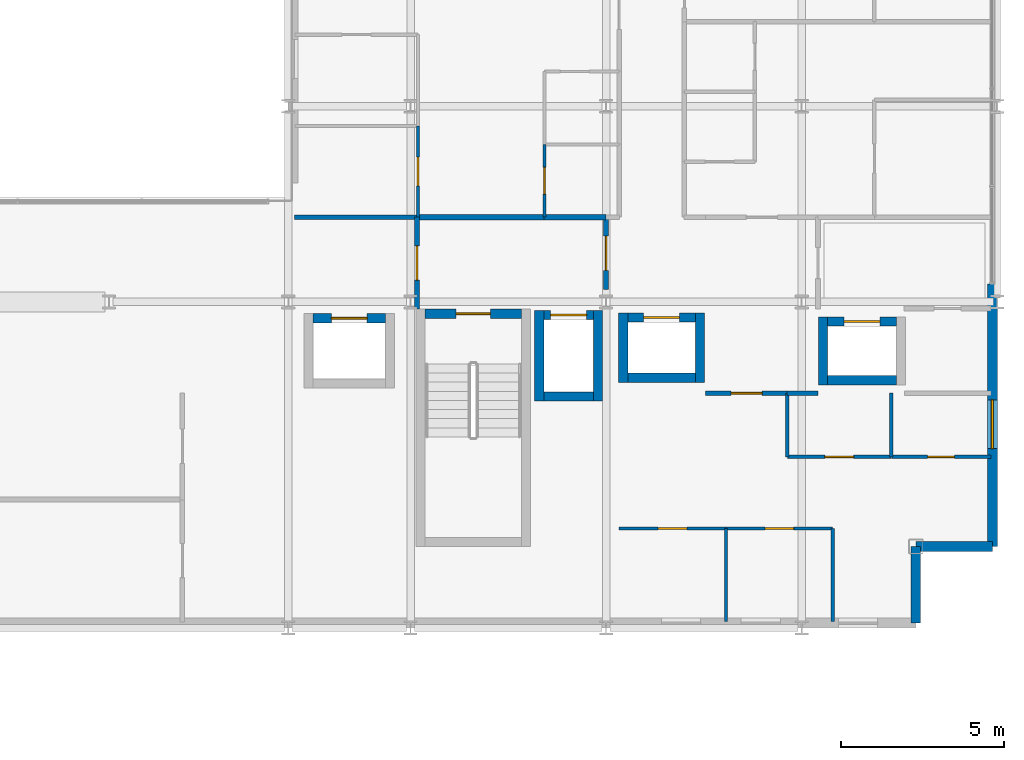
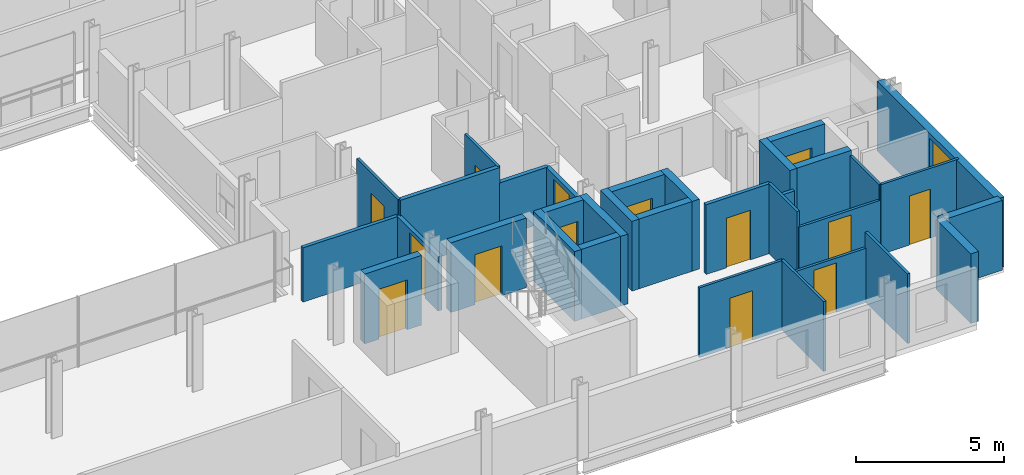
# One storey, part 34 of 40: 33 walls, 14 doors, 1 window, 15 openings.
"""IFC4 building model written with IfcOpenShell, lengths in metres."""

from ifc_helpers import new_model, si_unit, direction, frame, frame_2d, origin, place, context, subcontext, project, spatial, rectangle, extrude, material, layer, layer_set, type_object, element, fill, save


model = new_model("IFC4")

# Units and contexts
model_context = context("Model", 3, precision=1e-05, world=origin(), true_north=direction((0.0, 1.0)))
body_context = subcontext(model_context, "Body", "Model", "MODEL_VIEW")
ifc_project = project(units=[si_unit("LENGTHUNIT", "METRE"), si_unit("AREAUNIT", "SQUARE_METRE"), si_unit("VOLUMEUNIT", "CUBIC_METRE"), si_unit("PLANEANGLEUNIT", "RADIAN"), si_unit("MASSUNIT", "GRAM", prefix="KILO")], contexts=[model_context])

# Site, building, storey
site_placement = place(None, origin())
site = spatial("IfcSite", under=ifc_project, at=site_placement, CompositionType="ELEMENT")
building_placement = place(site_placement, origin())
building = spatial("IfcBuilding", under=site, at=building_placement, Name="Brevholm Reach", CompositionType="ELEMENT")
storey_placement = place(building_placement, frame((0.0, 0.0, 125.199951171875)))
storey = spatial("IfcBuildingStorey", under=building, at=storey_placement, Name="L37", CompositionType="ELEMENT", Elevation=125.199951171875)

# Wall, opening, door
ifc_material_1 = material(Name="Concrete C50/60", Category="concrete")
ifc_layer_1 = layer(ifc_material_1, 0.280029296875)
ifc_layer_set_1 = layer_set([ifc_layer_1], Name="Concrete C50/60")
wall_type_1 = type_object("IfcWallType", Name="WAL-COR-280", PredefinedType="SHEAR", material=ifc_layer_set_1)
wall_1_placement = place(storey_placement, frame((45.39990234375, 9.639892578125, 0.0), z_axis=(0.0, 0.0, 1.0), x_axis=(-1.0, 0.0, 0.0)))
wall_1 = element("IfcWall", 1, at=wall_1_placement, inside=storey, type_object=wall_type_1, Name="L37 Escape Stair ST-2 Core Wall N", PredefinedType="SHEAR", context=body_context, shape_type="SweptSolid", body=[
    extrude(rectangle(XDim=2.949951171875, YDim=0.280029296875, at=frame_2d((1.47509765625, 0.0))), origin(), (0.0, 0.0, 1.0), 2.880126953125),
])
opening_1_placement = place(wall_1_placement, frame((0.949951171875, 0.0, 0.0)))
opening_1 = element("IfcOpeningElement", 2, at=opening_1_placement, cuts=wall_1, Name="Opening SD-ST-2", PredefinedType="OPENING", context=body_context, shape_type="SweptSolid", body=[
    extrude(rectangle(XDim=1.050048828125, YDim=2.06005859375, at=frame_2d((0.52490234375, 1.030029296875))), frame((0.0, 0.14990234375, 0.0), z_axis=(0.0, -1.0, 0.0), x_axis=(1.0, 0.0, 0.0)), (0.0, 0.0, 1.0), 0.300048828125),
])
ifc_material_2 = material(Name="Hardwood-Lipped Steel-Core Fire and Smoke Door", Category="steel")
door_type_1 = type_object("IfcDoorType", Name="DOR-INT-FD60S", OperationType="NOTDEFINED", PredefinedType="DOOR", material=ifc_material_2)
door_1_placement = place(opening_1_placement, origin())
door_1 = element("IfcDoor", 3, at=door_1_placement, inside=storey, type_object=door_type_1, Name="L37 Protected Stair ST-2 Lobby Door", OperationType="SINGLE_SWING_RIGHT", OverallHeight=2.06005859375, OverallWidth=1.050048828125, PredefinedType="DOOR", context=body_context, shape_type="SweptSolid", body=[
    extrude(rectangle(XDim=1.050048828125, YDim=2.06005859375, at=frame_2d((0.52490234375, 1.030029296875))), frame((0.0, 0.02490234375, 0.0), z_axis=(0.0, -1.0, 0.0), x_axis=(1.0, 0.0, 0.0)), (0.0, 0.0, 1.0), 0.050048828125),
])
fill(opening_1, door_1)

# Walls
for number, where, z_axis, x_axis, name in (
    (4, (45.949951171875, 6.9599609375, 0.0), (0.0, 0.0, 1.0), (0.0, 1.0, 0.0), "L37 Lift FFL-2 Shaft Wall W"),
    (5, (47.75, 6.9599609375, 0.0), (0.0, 0.0, 1.0), (0.0, 1.0, 0.0), "L37 Lift FFL-2 Shaft Wall E"),
):
    element("IfcWall", number, at=place(storey_placement, frame(where, z_axis=z_axis, x_axis=x_axis)), inside=storey, type_object=wall_type_1, Name=name, PredefinedType="SHEAR", context=body_context, shape_type="SweptSolid", body=[
        extrude(rectangle(XDim=2.780029296875, YDim=0.280029296875, at=frame_2d((1.39013671875, 0.0))), origin(), (0.0, 0.0, 1.0), 2.880126953125),
    ])
wall_2_placement = place(storey_placement, frame((46.090087890625, 7.10009765625, 0.0), z_axis=(0.0, 0.0, 1.0), x_axis=(1.0, 0.0, 0.0)))
element("IfcWall", 6, at=wall_2_placement, inside=storey, type_object=wall_type_1, Name="L37 Lift FFL-2 Shaft Wall S", PredefinedType="SHEAR", context=body_context, shape_type="SweptSolid", body=[
    extrude(rectangle(XDim=1.52001953125, YDim=0.280029296875, at=frame_2d((0.760009765625, 0.0))), origin(), (0.0, 0.0, 1.0), 2.880126953125),
])

# Wall, opening, door
wall_3_placement = place(storey_placement, frame((46.090087890625, 9.60009765625, 0.0), z_axis=(0.0, 0.0, 1.0), x_axis=(1.0, 0.0, 0.0)))
wall_3 = element("IfcWall", 7, at=wall_3_placement, inside=storey, type_object=wall_type_1, Name="L37 Lift FFL-2 Shaft Wall N", PredefinedType="SHEAR", context=body_context, shape_type="SweptSolid", body=[
    extrude(rectangle(XDim=1.52001953125, YDim=0.280029296875, at=frame_2d((0.760009765625, 0.0))), origin(), (0.0, 0.0, 1.0), 2.880126953125),
])
opening_2_placement = place(wall_3_placement, frame((0.2099609375, 0.0, 0.0)))
opening_2 = element("IfcOpeningElement", 8, at=opening_2_placement, cuts=wall_3, Name="Opening LD-FFL-2", PredefinedType="OPENING", context=body_context, shape_type="SweptSolid", body=[
    extrude(rectangle(XDim=1.10009765625, YDim=2.06005859375, at=frame_2d((0.550048828125, 1.030029296875))), frame((0.0, 0.14990234375, 0.0), z_axis=(0.0, -1.0, 0.0), x_axis=(1.0, 0.0, 0.0)), (0.0, 0.0, 1.0), 0.300048828125),
])
ifc_material_3 = material(Name="Brushed Stainless Steel Fire-Rated Sliding Lift Door", Category="steel")
door_type_2 = type_object("IfcDoorType", Name="DOR-LFT-1100", OperationType="NOTDEFINED", PredefinedType="DOOR", material=ifc_material_3)
door_2_placement = place(opening_2_placement, origin())
door_2 = element("IfcDoor", 9, at=door_2_placement, inside=storey, type_object=door_type_2, Name="L37 Lift FFL-2 Sliding Landing Door", OperationType="SLIDING_TO_RIGHT", OverallHeight=2.06005859375, OverallWidth=1.10009765625, PredefinedType="DOOR", context=body_context, shape_type="SweptSolid", body=[
    extrude(rectangle(XDim=1.10009765625, YDim=2.06005859375, at=frame_2d((0.550048828125, 1.030029296875))), frame((0.0, 0.02490234375, 0.0), z_axis=(0.0, -1.0, 0.0), x_axis=(1.0, 0.0, 0.0)), (0.0, 0.0, 1.0), 0.050048828125),
])
fill(opening_2, door_2)

# Walls
for number, where, z_axis, x_axis, name in (
    (10, (48.52490234375, 7.534912109375, 0.0), (0.0, 0.0, 1.0), (0.0, 1.0, 0.0), "L37 Lift PL-L1 Shaft Wall W"),
    (11, (50.875, 7.534912109375, 0.0), (0.0, 0.0, 1.0), (0.0, 1.0, 0.0), "L37 Lift PL-L1 Shaft Wall E"),
):
    element("IfcWall", number, at=place(storey_placement, frame(where, z_axis=z_axis, x_axis=x_axis)), inside=storey, type_object=wall_type_1, Name=name, PredefinedType="SHEAR", context=body_context, shape_type="SweptSolid", body=[
        extrude(rectangle(XDim=2.130126953125, YDim=0.280029296875, at=frame_2d((1.06494140625, 0.0))), origin(), (0.0, 0.0, 1.0), 2.880126953125),
    ])
wall_4_placement = place(storey_placement, frame((48.6650390625, 7.675048828125, 0.0), z_axis=(0.0, 0.0, 1.0), x_axis=(1.0, 0.0, 0.0)))
element("IfcWall", 12, at=wall_4_placement, inside=storey, type_object=wall_type_1, Name="L37 Lift PL-L1 Shaft Wall S", PredefinedType="SHEAR", context=body_context, shape_type="SweptSolid", body=[
    extrude(rectangle(XDim=2.070068359375, YDim=0.280029296875, at=frame_2d((1.03515625, 0.0))), origin(), (0.0, 0.0, 1.0), 2.880126953125),
])

# Wall, opening, door
wall_5_placement = place(storey_placement, frame((48.6650390625, 9.52490234375, 0.0), z_axis=(0.0, 0.0, 1.0), x_axis=(1.0, 0.0, 0.0)))
wall_5 = element("IfcWall", 13, at=wall_5_placement, inside=storey, type_object=wall_type_1, Name="L37 Lift PL-L1 Shaft Wall N", PredefinedType="SHEAR", context=body_context, shape_type="SweptSolid", body=[
    extrude(rectangle(XDim=2.070068359375, YDim=0.280029296875, at=frame_2d((1.03515625, 0.0))), origin(), (0.0, 0.0, 1.0), 2.880126953125),
])
opening_3_placement = place(wall_5_placement, frame((0.485107421875, 0.0, 0.0)))
opening_3 = element("IfcOpeningElement", 14, at=opening_3_placement, cuts=wall_5, Name="Opening LD-PL-L1", PredefinedType="OPENING", context=body_context, shape_type="SweptSolid", body=[
    extrude(rectangle(XDim=1.10009765625, YDim=2.06005859375, at=frame_2d((0.550048828125, 1.030029296875))), frame((0.0, 0.14990234375, 0.0), z_axis=(0.0, -1.0, 0.0), x_axis=(1.0, 0.0, 0.0)), (0.0, 0.0, 1.0), 0.300048828125),
])
door_3_placement = place(opening_3_placement, origin())
door_3 = element("IfcDoor", 15, at=door_3_placement, inside=storey, type_object=door_type_2, Name="L37 Lift PL-L1 Sliding Landing Door", OperationType="SLIDING_TO_LEFT", OverallHeight=2.06005859375, OverallWidth=1.10009765625, PredefinedType="DOOR", context=body_context, shape_type="SweptSolid", body=[
    extrude(rectangle(XDim=1.10009765625, YDim=2.06005859375, at=frame_2d((0.550048828125, 1.030029296875))), frame((0.0, 0.02490234375, 0.0), z_axis=(0.0, -1.0, 0.0), x_axis=(1.0, 0.0, 0.0)), (0.0, 0.0, 1.0), 0.050048828125),
])
fill(opening_3, door_3)

# Walls
wall_6_placement = place(storey_placement, frame((54.64990234375, 7.4599609375, 0.0), z_axis=(0.0, 0.0, 1.0), x_axis=(0.0, 1.0, 0.0)))
element("IfcWall", 16, at=wall_6_placement, inside=storey, type_object=wall_type_1, Name="L37 Lift PL-L2 Shaft Wall W", PredefinedType="SHEAR", context=body_context, shape_type="SweptSolid", body=[
    extrude(rectangle(XDim=2.080078125, YDim=0.280029296875, at=frame_2d((1.0400390625, 0.0))), origin(), (0.0, 0.0, 1.0), 2.880126953125),
])
wall_7_placement = place(storey_placement, frame((54.7900390625, 7.60009765625, 0.0), z_axis=(0.0, 0.0, 1.0), x_axis=(1.0, 0.0, 0.0)))
element("IfcWall", 17, at=wall_7_placement, inside=storey, type_object=wall_type_1, Name="L37 Lift PL-L2 Shaft Wall S", PredefinedType="SHEAR", context=body_context, shape_type="SweptSolid", body=[
    extrude(rectangle(XDim=2.119873046875, YDim=0.280029296875, at=frame_2d((1.06005859375, 0.0))), origin(), (0.0, 0.0, 1.0), 2.880126953125),
])

# Wall, opening, door
wall_8_placement = place(storey_placement, frame((54.7900390625, 9.39990234375, 0.0), z_axis=(0.0, 0.0, 1.0), x_axis=(1.0, 0.0, 0.0)))
wall_8 = element("IfcWall", 18, at=wall_8_placement, inside=storey, type_object=wall_type_1, Name="L37 Lift PL-L2 Shaft Wall N", PredefinedType="SHEAR", context=body_context, shape_type="SweptSolid", body=[
    extrude(rectangle(XDim=2.119873046875, YDim=0.280029296875, at=frame_2d((1.06005859375, 0.0))), origin(), (0.0, 0.0, 1.0), 2.880126953125),
])
opening_4_placement = place(wall_8_placement, frame((0.510009765625, 0.0, 0.0)))
opening_4 = element("IfcOpeningElement", 19, at=opening_4_placement, cuts=wall_8, Name="Opening LD-PL-L2", PredefinedType="OPENING", context=body_context, shape_type="SweptSolid", body=[
    extrude(rectangle(XDim=1.10009765625, YDim=2.06005859375, at=frame_2d((0.550048828125, 1.030029296875))), frame((0.0, 0.14990234375, 0.0), z_axis=(0.0, -1.0, 0.0), x_axis=(1.0, 0.0, 0.0)), (0.0, 0.0, 1.0), 0.300048828125),
])
door_4_placement = place(opening_4_placement, origin())
door_4 = element("IfcDoor", 20, at=door_4_placement, inside=storey, type_object=door_type_2, Name="L37 Lift PL-L2 Sliding Landing Door", OperationType="SLIDING_TO_RIGHT", OverallHeight=2.06005859375, OverallWidth=1.10009765625, PredefinedType="DOOR", context=body_context, shape_type="SweptSolid", body=[
    extrude(rectangle(XDim=1.10009765625, YDim=2.06005859375, at=frame_2d((0.550048828125, 1.030029296875))), frame((0.0, 0.02490234375, 0.0), z_axis=(0.0, -1.0, 0.0), x_axis=(1.0, 0.0, 0.0)), (0.0, 0.0, 1.0), 0.050048828125),
])
fill(opening_4, door_4)

wall_9_placement = place(storey_placement, frame((39.010009765625, 9.5, 0.0), z_axis=(0.0, 0.0, 1.0), x_axis=(1.0, 0.0, 0.0)))
wall_9 = element("IfcWall", 21, at=wall_9_placement, inside=storey, type_object=wall_type_1, Name="L37 Lift PL-S1 Shaft Wall N", PredefinedType="SHEAR", context=body_context, shape_type="SweptSolid", body=[
    extrude(rectangle(XDim=2.219970703125, YDim=0.280029296875, at=frame_2d((1.10986328125, 0.0))), origin(), (0.0, 0.0, 1.0), 2.880126953125),
])
opening_5_placement = place(wall_9_placement, frame((0.56005859375, 0.0, 0.0)))
opening_5 = element("IfcOpeningElement", 22, at=opening_5_placement, cuts=wall_9, Name="Opening LD-PL-S1", PredefinedType="OPENING", context=body_context, shape_type="SweptSolid", body=[
    extrude(rectangle(XDim=1.10009765625, YDim=2.06005859375, at=frame_2d((0.550048828125, 1.030029296875))), frame((0.0, 0.14990234375, 0.0), z_axis=(0.0, -1.0, 0.0), x_axis=(1.0, 0.0, 0.0)), (0.0, 0.0, 1.0), 0.300048828125),
])
door_5_placement = place(opening_5_placement, origin())
door_5 = element("IfcDoor", 23, at=door_5_placement, inside=storey, type_object=door_type_2, Name="L37 Lift PL-S1 Sliding Landing Door", OperationType="SLIDING_TO_LEFT", OverallHeight=2.06005859375, OverallWidth=1.10009765625, PredefinedType="DOOR", context=body_context, shape_type="SweptSolid", body=[
    extrude(rectangle(XDim=1.10009765625, YDim=2.06005859375, at=frame_2d((0.550048828125, 1.030029296875))), frame((0.0, 0.02490234375, 0.0), z_axis=(0.0, -1.0, 0.0), x_axis=(1.0, 0.0, 0.0)), (0.0, 0.0, 1.0), 0.050048828125),
])
fill(opening_5, door_5)

# Walls
ifc_material_4 = material(Name="Concrete C40/50", Category="concrete")
ifc_layer_2 = layer(ifc_material_4, 0.300048828125)
ifc_layer_set_2 = layer_set([ifc_layer_2], Name="Concrete C40/50")
wall_type_2 = type_object("IfcWallType", Name="WAL-EXT-300", PredefinedType="STANDARD", material=ifc_layer_set_2)
for number, where, z_axis, x_axis, name in (
    (24, (57.5, 0.14990234375, 0.0), (0.0, 0.0, 1.0), (0.0, 1.0, 0.0), "L37 Facade Wall WAL-L37-CSE1"),
    (25, (57.5, 2.5, 0.0), (0.0, 0.0, 1.0), (1.0, 0.0, 0.0), "L37 Facade Wall WAL-L37-CSE2"),
):
    element("IfcWall", number, at=place(storey_placement, frame(where, z_axis=z_axis, x_axis=x_axis)), inside=storey, type_object=wall_type_2, Name=name, PredefinedType="STANDARD", context=body_context, shape_type="SweptSolid", body=[
        extrude(rectangle(XDim=2.35009765625, YDim=0.300048828125, at=frame_2d((1.175048828125, 0.0))), origin(), (0.0, 0.0, 1.0), 2.880126953125),
    ])

# Wall, opening, window
wall_10_placement = place(storey_placement, frame((59.85009765625, 2.5, 0.0), z_axis=(0.0, 0.0, 1.0), x_axis=(0.0, 1.0, 0.0)))
wall_10 = element("IfcWall", 26, at=wall_10_placement, inside=storey, type_object=wall_type_2, Name="L37 Facade Wall WAL-L37-E-S", PredefinedType="STANDARD", context=body_context, shape_type="SweptSolid", body=[
    extrude(rectangle(XDim=8.050048828125, YDim=0.300048828125, at=frame_2d((4.02490234375, 0.0))), origin(), (0.0, 0.0, 1.0), 2.880126953125),
])
opening_6_placement = place(wall_10_placement, frame((3.0, 0.0, 0.860107421875)))
opening_6 = element("IfcOpeningElement", 27, at=opening_6_placement, cuts=wall_10, Name="Opening WN-05", PredefinedType="OPENING", context=body_context, shape_type="SweptSolid", body=[
    extrude(rectangle(XDim=1.5, YDim=1.800048828125, at=frame_2d((0.75, 0.89990234375))), frame((0.0, 0.159912109375, 0.0), z_axis=(0.0, -1.0, 0.0), x_axis=(1.0, 0.0, 0.0)), (0.0, 0.0, 1.0), 0.320068359375),
])
ifc_material_5 = material(Name="Dark Anodised Aluminium and Solar-Control IGU Glass", Category="aluminium")
window_type = type_object("IfcWindowType", Name="WIN-RES-1500", PartitioningType="SINGLE_PANEL", PredefinedType="WINDOW", material=ifc_material_5)
window_placement = place(opening_6_placement, origin())
window = element("IfcWindow", 28, at=window_placement, inside=storey, type_object=window_type, Name="L37 Window WIN-L37-ES-1", OverallHeight=1.800048828125, OverallWidth=1.5, PartitioningType="SINGLE_PANEL", PredefinedType="WINDOW", context=body_context, shape_type="SweptSolid", body=[
    extrude(rectangle(XDim=1.5, YDim=1.800048828125, at=frame_2d((0.75, 0.89990234375))), frame((0.0, 0.030029296875, 0.0), z_axis=(0.0, -1.0, 0.0), x_axis=(1.0, 0.0, 0.0)), (0.0, 0.0, 1.0), 0.06005859375),
])
fill(opening_6, window)

# Wall
ifc_material_6 = material(Name="Moisture-Resistant Acoustic Gypsum Stud Partition 100 mm", Category="gypsum")
ifc_layer_3 = layer(ifc_material_6, 0.10009765625)
ifc_layer_set_3 = layer_set([ifc_layer_3], Name="Moisture-Resistant Acoustic Gypsum Stud Partition 100 mm")
wall_type_3 = type_object("IfcWallType", Name="WAL-PRT-100", PredefinedType="PARTITIONING", material=ifc_layer_set_3)
wall_11_placement = place(storey_placement, frame((56.75, 5.25, 0.0), z_axis=(0.0, 0.0, 1.0), x_axis=(0.0, 1.0, 0.0)))
element("IfcWall", 29, at=wall_11_placement, inside=storey, type_object=wall_type_3, Name="L37 Internal Partition 076", PredefinedType="PARTITIONING", context=body_context, shape_type="SweptSolid", body=[
    extrude(rectangle(XDim=1.949951171875, YDim=0.10009765625, at=frame_2d((0.97509765625, 0.0))), origin(), (0.0, 0.0, 1.0), 2.880126953125),
])

# Wall, opening, door
wall_12_placement = place(storey_placement, frame((56.75, 5.25, 0.0), z_axis=(0.0, 0.0, 1.0), x_axis=(1.0, 0.0, 0.0)))
wall_12 = element("IfcWall", 30, at=wall_12_placement, inside=storey, type_object=wall_type_3, Name="L37 Internal Partition 077", PredefinedType="PARTITIONING", context=body_context, shape_type="SweptSolid", body=[
    extrude(rectangle(XDim=3.050048828125, YDim=0.10009765625, at=frame_2d((1.52490234375, 0.0))), origin(), (0.0, 0.0, 1.0), 2.880126953125),
])
opening_7_placement = place(wall_12_placement, frame((1.114990234375, 0.0, 0.0)))
opening_7 = element("IfcOpeningElement", 31, at=opening_7_placement, cuts=wall_12, Name="Opening ID-03", PredefinedType="OPENING", context=body_context, shape_type="SweptSolid", body=[
    extrude(rectangle(XDim=0.820068359375, YDim=2.02001953125, at=frame_2d((0.41015625, 1.010009765625))), frame((0.0, 0.06005859375, 0.0), z_axis=(0.0, -1.0, 0.0), x_axis=(1.0, 0.0, 0.0)), (0.0, 0.0, 1.0), 0.1201171875),
])
ifc_material_7 = material(Name="Moisture-Resistant Painted Timber Internal Bathroom Door", Category="wood")
door_type_3 = type_object("IfcDoorType", Name="DOR-BATH-820", OperationType="NOTDEFINED", PredefinedType="DOOR", material=ifc_material_7)
door_6_placement = place(opening_7_placement, origin())
door_6 = element("IfcDoor", 32, at=door_6_placement, inside=storey, type_object=door_type_3, Name="L37 Internal Door 026", OperationType="SINGLE_SWING_RIGHT", OverallHeight=2.02001953125, OverallWidth=0.820068359375, PredefinedType="DOOR", context=body_context, shape_type="SweptSolid", body=[
    extrude(rectangle(XDim=0.820068359375, YDim=2.02001953125, at=frame_2d((0.41015625, 1.010009765625))), frame((0.0, 0.02490234375, 0.0), z_axis=(0.0, -1.0, 0.0), x_axis=(1.0, 0.0, 0.0)), (0.0, 0.0, 1.0), 0.050048828125),
])
fill(opening_7, door_6)

wall_13_placement = place(storey_placement, frame((53.55810546875, 5.25, 0.0), z_axis=(0.0, 0.0, 1.0), x_axis=(1.0, 0.0, 0.0)))
wall_13 = element("IfcWall", 33, at=wall_13_placement, inside=storey, type_object=wall_type_3, Name="L37 Internal Partition 078", PredefinedType="PARTITIONING", context=body_context, shape_type="SweptSolid", body=[
    extrude(rectangle(XDim=3.18798828125, YDim=0.10009765625, at=frame_2d((1.593994140625, 0.0))), origin(), (0.0, 0.0, 1.0), 2.242919921875),
])
opening_8_placement = place(wall_13_placement, frame((1.154052734375, 0.0, 0.0)))
opening_8 = element("IfcOpeningElement", 34, at=opening_8_placement, cuts=wall_13, Name="Opening ID-01", PredefinedType="OPENING", context=body_context, shape_type="SweptSolid", body=[
    extrude(rectangle(XDim=0.8798828125, YDim=2.0400390625, at=frame_2d((0.43994140625, 1.02001953125))), frame((0.0, 0.06005859375, 0.0), z_axis=(0.0, -1.0, 0.0), x_axis=(1.0, 0.0, 0.0)), (0.0, 0.0, 1.0), 0.1201171875),
])
ifc_material_8 = material(Name="Lacquered Ash Solid-Core Acoustic Internal Door", Category="timber")
door_type_4 = type_object("IfcDoorType", Name="DOR-INT-880", OperationType="NOTDEFINED", PredefinedType="DOOR", material=ifc_material_8)
door_7_placement = place(opening_8_placement, origin())
door_7 = element("IfcDoor", 35, at=door_7_placement, inside=storey, type_object=door_type_4, Name="L37 Internal Door 027", OperationType="SINGLE_SWING_LEFT", OverallHeight=2.0400390625, OverallWidth=0.8798828125, PredefinedType="DOOR", context=body_context, shape_type="SweptSolid", body=[
    extrude(rectangle(XDim=0.8798828125, YDim=2.0400390625, at=frame_2d((0.43994140625, 1.02001953125))), frame((0.0, 0.02490234375, 0.0), z_axis=(0.0, -1.0, 0.0), x_axis=(1.0, 0.0, 0.0)), (0.0, 0.0, 1.0), 0.050048828125),
])
fill(opening_8, door_7)

# Walls
wall_14_placement = place(storey_placement, frame((53.55810546875, 5.25, 0.0), z_axis=(0.0, 0.0, 1.0), x_axis=(0.0, 1.0, 0.0)))
element("IfcWall", 36, at=wall_14_placement, inside=storey, type_object=wall_type_3, Name="L37 Internal Partition 079", PredefinedType="PARTITIONING", context=body_context, shape_type="SweptSolid", body=[
    extrude(rectangle(XDim=1.946044921875, YDim=0.10009765625, at=frame_2d((0.97314453125, 0.0))), origin(), (0.0, 0.0, 1.0), 2.880126953125),
])
wall_15_placement = place(storey_placement, frame((51.675048828125, 0.199951171875, 0.0), z_axis=(0.0, 0.0, 1.0), x_axis=(0.0, 1.0, 0.0)))
element("IfcWall", 37, at=wall_15_placement, inside=storey, type_object=wall_type_3, Name="L37 Internal Partition 080", PredefinedType="PARTITIONING", context=body_context, shape_type="SweptSolid", body=[
    extrude(rectangle(XDim=2.85009765625, YDim=0.10009765625, at=frame_2d((1.425048828125, 0.0))), origin(), (0.0, 0.0, 1.0), 2.880126953125),
])

# Wall, opening, door
wall_16_placement = place(storey_placement, frame((48.39990234375, 3.050048828125, 0.0), z_axis=(0.0, 0.0, 1.0), x_axis=(1.0, 0.0, 0.0)))
wall_16 = element("IfcWall", 38, at=wall_16_placement, inside=storey, type_object=wall_type_3, Name="L37 Internal Partition 081", PredefinedType="PARTITIONING", context=body_context, shape_type="SweptSolid", body=[
    extrude(rectangle(XDim=3.275146484375, YDim=0.10009765625, at=frame_2d((1.6376953125, 0.0))), origin(), (0.0, 0.0, 1.0), 2.880126953125),
])
opening_9_placement = place(wall_16_placement, frame((1.197509765625, 0.0, 0.0)))
opening_9 = element("IfcOpeningElement", 39, at=opening_9_placement, cuts=wall_16, Name="Opening ID-01", PredefinedType="OPENING", context=body_context, shape_type="SweptSolid", body=[
    extrude(rectangle(XDim=0.8798828125, YDim=2.0400390625, at=frame_2d((0.43994140625, 1.02001953125))), frame((0.0, 0.06005859375, 0.0), z_axis=(0.0, -1.0, 0.0), x_axis=(1.0, 0.0, 0.0)), (0.0, 0.0, 1.0), 0.1201171875),
])
door_8_placement = place(opening_9_placement, origin())
door_8 = element("IfcDoor", 40, at=door_8_placement, inside=storey, type_object=door_type_4, Name="L37 Internal Door 028", OperationType="SINGLE_SWING_RIGHT", OverallHeight=2.0400390625, OverallWidth=0.8798828125, PredefinedType="DOOR", context=body_context, shape_type="SweptSolid", body=[
    extrude(rectangle(XDim=0.8798828125, YDim=2.0400390625, at=frame_2d((0.43994140625, 1.02001953125))), frame((0.0, 0.02490234375, 0.0), z_axis=(0.0, -1.0, 0.0), x_axis=(1.0, 0.0, 0.0)), (0.0, 0.0, 1.0), 0.050048828125),
])
fill(opening_9, door_8)

# Wall
wall_17_placement = place(storey_placement, frame((54.949951171875, 0.199951171875, 0.0), z_axis=(0.0, 0.0, 1.0), x_axis=(0.0, 1.0, 0.0)))
element("IfcWall", 41, at=wall_17_placement, inside=storey, type_object=wall_type_3, Name="L37 Internal Partition 082", PredefinedType="PARTITIONING", context=body_context, shape_type="SweptSolid", body=[
    extrude(rectangle(XDim=2.85009765625, YDim=0.10009765625, at=frame_2d((1.425048828125, 0.0))), origin(), (0.0, 0.0, 1.0), 2.880126953125),
])

# Wall, opening, door
wall_18_placement = place(storey_placement, frame((51.678955078125, 3.050048828125, 0.0), z_axis=(0.0, 0.0, 1.0), x_axis=(1.0, 0.0, 0.0)))
wall_18 = element("IfcWall", 42, at=wall_18_placement, inside=storey, type_object=wall_type_3, Name="L37 Internal Partition 083", PredefinedType="PARTITIONING", context=body_context, shape_type="SweptSolid", body=[
    extrude(rectangle(XDim=3.27099609375, YDim=0.10009765625, at=frame_2d((1.635498046875, 0.0))), origin(), (0.0, 0.0, 1.0), 2.242919921875),
])
opening_10_placement = place(wall_18_placement, frame((1.195556640625, 0.0, 0.0)))
opening_10 = element("IfcOpeningElement", 43, at=opening_10_placement, cuts=wall_18, Name="Opening ID-01", PredefinedType="OPENING", context=body_context, shape_type="SweptSolid", body=[
    extrude(rectangle(XDim=0.8798828125, YDim=2.0400390625, at=frame_2d((0.43994140625, 1.02001953125))), frame((0.0, 0.06005859375, 0.0), z_axis=(0.0, -1.0, 0.0), x_axis=(1.0, 0.0, 0.0)), (0.0, 0.0, 1.0), 0.1201171875),
])
door_9_placement = place(opening_10_placement, origin())
door_9 = element("IfcDoor", 44, at=door_9_placement, inside=storey, type_object=door_type_4, Name="L37 Internal Door 029", OperationType="SINGLE_SWING_LEFT", OverallHeight=2.0400390625, OverallWidth=0.8798828125, PredefinedType="DOOR", context=body_context, shape_type="SweptSolid", body=[
    extrude(rectangle(XDim=0.8798828125, YDim=2.0400390625, at=frame_2d((0.43994140625, 1.02001953125))), frame((0.0, 0.02490234375, 0.0), z_axis=(0.0, -1.0, 0.0), x_axis=(1.0, 0.0, 0.0)), (0.0, 0.0, 1.0), 0.050048828125),
])
fill(opening_10, door_9)

wall_19_placement = place(storey_placement, frame((46.112060546875, 12.60400390625, 0.0), z_axis=(0.0, 0.0, 1.0), x_axis=(0.0, 1.0, 0.0)))
wall_19 = element("IfcWall", 45, at=wall_19_placement, inside=storey, type_object=wall_type_3, Name="L37 Internal Partition 117", PredefinedType="PARTITIONING", context=body_context, shape_type="SweptSolid", body=[
    extrude(rectangle(XDim=2.22802734375, YDim=0.10009765625, at=frame_2d((1.114013671875, 0.0))), origin(), (0.0, 0.0, 1.0), 2.880126953125),
])
opening_11_placement = place(wall_19_placement, frame((0.7041015625, 0.0, 0.0)))
opening_11 = element("IfcOpeningElement", 46, at=opening_11_placement, cuts=wall_19, Name="Opening ID-03", PredefinedType="OPENING", context=body_context, shape_type="SweptSolid", body=[
    extrude(rectangle(XDim=0.820068359375, YDim=2.02001953125, at=frame_2d((0.41015625, 1.010009765625))), frame((0.0, 0.06005859375, 0.0), z_axis=(0.0, -1.0, 0.0), x_axis=(1.0, 0.0, 0.0)), (0.0, 0.0, 1.0), 0.1201171875),
])
door_10_placement = place(opening_11_placement, origin())
door_10 = element("IfcDoor", 47, at=door_10_placement, inside=storey, type_object=door_type_3, Name="L37 Internal Door 043", OperationType="SINGLE_SWING_LEFT", OverallHeight=2.02001953125, OverallWidth=0.820068359375, PredefinedType="DOOR", context=body_context, shape_type="SweptSolid", body=[
    extrude(rectangle(XDim=0.820068359375, YDim=2.02001953125, at=frame_2d((0.41015625, 1.010009765625))), frame((0.0, 0.02490234375, 0.0), z_axis=(0.0, -1.0, 0.0), x_axis=(1.0, 0.0, 0.0)), (0.0, 0.0, 1.0), 0.050048828125),
])
fill(opening_11, door_10)

wall_20_placement = place(storey_placement, frame((42.23095703125, 12.60400390625, 0.0), z_axis=(0.0, 0.0, 1.0), x_axis=(0.0, 1.0, 0.0)))
wall_20 = element("IfcWall", 48, at=wall_20_placement, inside=storey, type_object=wall_type_3, Name="L37 Internal Partition 121", PredefinedType="PARTITIONING", context=body_context, shape_type="SweptSolid", body=[
    extrude(rectangle(XDim=2.7958984375, YDim=0.10009765625, at=frame_2d((1.39794921875, 0.0))), origin(), (0.0, 0.0, 1.0), 2.880126953125),
])
opening_12_placement = place(wall_20_placement, frame((0.9580078125, 0.0, 0.0)))
opening_12 = element("IfcOpeningElement", 49, at=opening_12_placement, cuts=wall_20, Name="Opening ID-01", PredefinedType="OPENING", context=body_context, shape_type="SweptSolid", body=[
    extrude(rectangle(XDim=0.8798828125, YDim=2.0400390625, at=frame_2d((0.43994140625, 1.02001953125))), frame((0.0, 0.06005859375, 0.0), z_axis=(0.0, -1.0, 0.0), x_axis=(1.0, 0.0, 0.0)), (0.0, 0.0, 1.0), 0.1201171875),
])
door_11_placement = place(opening_12_placement, origin())
door_11 = element("IfcDoor", 50, at=door_11_placement, inside=storey, type_object=door_type_4, Name="L37 Internal Door 045", OperationType="SINGLE_SWING_LEFT", OverallHeight=2.0400390625, OverallWidth=0.8798828125, PredefinedType="DOOR", context=body_context, shape_type="SweptSolid", body=[
    extrude(rectangle(XDim=0.8798828125, YDim=2.0400390625, at=frame_2d((0.43994140625, 1.02001953125))), frame((0.0, 0.02490234375, 0.0), z_axis=(0.0, -1.0, 0.0), x_axis=(1.0, 0.0, 0.0)), (0.0, 0.0, 1.0), 0.050048828125),
])
fill(opening_12, door_11)

# Wall
ifc_material_9 = material(Name="Twin-Stud Acoustic Fire-Rated Gypsum Partition 140 mm", Category="gypsum")
ifc_layer_4 = layer(ifc_material_9, 0.139892578125)
ifc_layer_set_4 = layer_set([ifc_layer_4], Name="Twin-Stud Acoustic Fire-Rated Gypsum Partition 140 mm")
wall_type_4 = type_object("IfcWallType", Name="WAL-PRT-140", PredefinedType="PARTITIONING", material=ifc_layer_set_4)
wall_21_placement = place(storey_placement, frame((53.546630859375, 7.199951171875, 0.0), z_axis=(0.0, 0.0, 1.0), x_axis=(1.0, 0.0, 0.0)))
element("IfcWall", 51, at=wall_21_placement, inside=storey, type_object=wall_type_4, Name="L37 Internal Partition 010", PredefinedType="PARTITIONING", context=body_context, shape_type="SweptSolid", body=[
    extrude(rectangle(XDim=0.953369140625, YDim=0.139892578125, at=frame_2d((0.4765625, 0.0))), origin(), (0.0, 0.0, 1.0), 2.242919921875),
])

# Wall, opening, door
wall_22_placement = place(storey_placement, frame((51.050048828125, 7.199951171875, 0.0), z_axis=(0.0, 0.0, 1.0), x_axis=(1.0, 0.0, 0.0)))
wall_22 = element("IfcWall", 52, at=wall_22_placement, inside=storey, type_object=wall_type_4, Name="L37 Internal Partition 011", PredefinedType="PARTITIONING", context=body_context, shape_type="SweptSolid", body=[
    extrude(rectangle(XDim=2.51513671875, YDim=0.139892578125, at=frame_2d((1.257568359375, 0.0))), origin(), (0.0, 0.0, 1.0), 2.880126953125),
])
opening_13_placement = place(wall_22_placement, frame((0.78271484375, 0.0, 0.0)))
opening_13 = element("IfcOpeningElement", 53, at=opening_13_placement, cuts=wall_22, Name="Opening ID-30", PredefinedType="OPENING", context=body_context, shape_type="SweptSolid", body=[
    extrude(rectangle(XDim=0.949951171875, YDim=2.050048828125, at=frame_2d((0.47509765625, 1.02490234375))), frame((0.0, 0.079833984375, 0.0), z_axis=(0.0, -1.0, 0.0), x_axis=(1.0, 0.0, 0.0)), (0.0, 0.0, 1.0), 0.159912109375),
])
ifc_material_10 = material(Name="European Oak Veneered Solid-Core Fire Entrance Door", Category="timber")
door_type_5 = type_object("IfcDoorType", Name="DOR-FLT-FD30S", OperationType="NOTDEFINED", PredefinedType="DOOR", material=ifc_material_10)
door_12_placement = place(opening_13_placement, origin())
door_12 = element("IfcDoor", 54, at=door_12_placement, inside=storey, type_object=door_type_5, Name="L37 Internal Door 006", OperationType="SINGLE_SWING_RIGHT", OverallHeight=2.050048828125, OverallWidth=0.949951171875, PredefinedType="DOOR", context=body_context, shape_type="SweptSolid", body=[
    extrude(rectangle(XDim=0.949951171875, YDim=2.050048828125, at=frame_2d((0.47509765625, 1.02490234375))), frame((0.0, 0.02490234375, 0.0), z_axis=(0.0, -1.0, 0.0), x_axis=(1.0, 0.0, 0.0)), (0.0, 0.0, 1.0), 0.050048828125),
])
fill(opening_13, door_12)

# Wall
wall_23_placement = place(storey_placement, frame((38.438720703125, 12.60009765625, 0.0), z_axis=(0.0, 0.0, 1.0), x_axis=(1.0, 0.0, 0.0)))
element("IfcWall", 55, at=wall_23_placement, inside=storey, type_object=wall_type_4, Name="L37 Internal Partition 029", PredefinedType="PARTITIONING", context=body_context, shape_type="SweptSolid", body=[
    extrude(rectangle(XDim=3.75732421875, YDim=0.139892578125, at=frame_2d((1.878662109375, 0.0))), origin(), (0.0, 0.0, 1.0), 2.242919921875),
])

# Wall, opening, door
ifc_material_11 = material(Name="Twin-Frame Fire-Rated Gypsum Board and Mineral Wool 160 mm", Category="gypsum")
ifc_layer_5 = layer(ifc_material_11, 0.159912109375)
ifc_layer_set_5 = layer_set([ifc_layer_5], Name="Twin-Frame Fire-Rated Gypsum Board and Mineral Wool 160 mm")
wall_type_5 = type_object("IfcWallType", Name="WAL-PRT-160", PredefinedType="PARTITIONING", material=ifc_layer_set_5)
wall_24_placement = place(storey_placement, frame((42.199951171875, 9.7900390625, 0.0), z_axis=(0.0, 0.0, 1.0), x_axis=(0.0, 1.0, 0.0)))
wall_24 = element("IfcWall", 56, at=wall_24_placement, inside=storey, type_object=wall_type_5, Name="L37 Internal Partition 019", PredefinedType="PARTITIONING", context=body_context, shape_type="SweptSolid", body=[
    extrude(rectangle(XDim=2.81005859375, YDim=0.159912109375, at=frame_2d((1.405029296875, 0.0))), origin(), (0.0, 0.0, 1.0), 2.242919921875),
])
opening_14_placement = place(wall_24_placement, frame((0.8798828125, 0.0, 0.0)))
opening_14 = element("IfcOpeningElement", 57, at=opening_14_placement, cuts=wall_24, Name="Opening FD-01", PredefinedType="OPENING", context=body_context, shape_type="SweptSolid", body=[
    extrude(rectangle(XDim=1.050048828125, YDim=2.06005859375, at=frame_2d((0.52490234375, 1.030029296875))), frame((0.0, 0.08984375, 0.0), z_axis=(0.0, -1.0, 0.0), x_axis=(1.0, 0.0, 0.0)), (0.0, 0.0, 1.0), 0.179931640625),
])
door_13_placement = place(opening_14_placement, origin())
door_13 = element("IfcDoor", 58, at=door_13_placement, inside=storey, type_object=door_type_1, Name="L37 Internal Door 010", OperationType="SINGLE_SWING_RIGHT", OverallHeight=2.06005859375, OverallWidth=1.050048828125, PredefinedType="DOOR", context=body_context, shape_type="SweptSolid", body=[
    extrude(rectangle(XDim=1.050048828125, YDim=2.06005859375, at=frame_2d((0.52490234375, 1.030029296875))), frame((0.0, 0.02490234375, 0.0), z_axis=(0.0, -1.0, 0.0), x_axis=(1.0, 0.0, 0.0)), (0.0, 0.0, 1.0), 0.050048828125),
])
fill(opening_14, door_13)

wall_25_placement = place(storey_placement, frame((48.0, 10.388671875, 0.0), z_axis=(0.0, 0.0, 1.0), x_axis=(0.0, 1.0, 0.0)))
wall_25 = element("IfcWall", 59, at=wall_25_placement, inside=storey, type_object=wall_type_5, Name="L37 Internal Partition 020", PredefinedType="PARTITIONING", context=body_context, shape_type="SweptSolid", body=[
    extrude(rectangle(XDim=2.21142578125, YDim=0.159912109375, at=frame_2d((1.105712890625, 0.0))), origin(), (0.0, 0.0, 1.0), 2.242919921875),
])
opening_15_placement = place(wall_25_placement, frame((0.58056640625, 0.0, 0.0)))
opening_15 = element("IfcOpeningElement", 60, at=opening_15_placement, cuts=wall_25, Name="Opening FD-01", PredefinedType="OPENING", context=body_context, shape_type="SweptSolid", body=[
    extrude(rectangle(XDim=1.050048828125, YDim=2.06005859375, at=frame_2d((0.52490234375, 1.030029296875))), frame((0.0, 0.08984375, 0.0), z_axis=(0.0, -1.0, 0.0), x_axis=(1.0, 0.0, 0.0)), (0.0, 0.0, 1.0), 0.179931640625),
])
door_14_placement = place(opening_15_placement, origin())
door_14 = element("IfcDoor", 61, at=door_14_placement, inside=storey, type_object=door_type_1, Name="L37 Internal Door 011", OperationType="SINGLE_SWING_LEFT", OverallHeight=2.06005859375, OverallWidth=1.050048828125, PredefinedType="DOOR", context=body_context, shape_type="SweptSolid", body=[
    extrude(rectangle(XDim=1.050048828125, YDim=2.06005859375, at=frame_2d((0.52490234375, 1.030029296875))), frame((0.0, 0.02490234375, 0.0), z_axis=(0.0, -1.0, 0.0), x_axis=(1.0, 0.0, 0.0)), (0.0, 0.0, 1.0), 0.050048828125),
])
fill(opening_15, door_14)

# Walls
wall_26_placement = place(storey_placement, frame((46.1005859375, 12.60009765625, 0.0), z_axis=(0.0, 0.0, 1.0), x_axis=(1.0, 0.0, 0.0)))
element("IfcWall", 62, at=wall_26_placement, inside=storey, type_object=wall_type_5, Name="L37 Internal Partition 021", PredefinedType="PARTITIONING", context=body_context, shape_type="SweptSolid", body=[
    extrude(rectangle(XDim=1.8994140625, YDim=0.159912109375, at=frame_2d((0.94970703125, 0.0))), origin(), (0.0, 0.0, 1.0), 2.242919921875),
])
wall_27_placement = place(storey_placement, frame((42.2236328125, 12.60009765625, 0.0), z_axis=(0.0, 0.0, 1.0), x_axis=(1.0, 0.0, 0.0)))
element("IfcWall", 63, at=wall_27_placement, inside=storey, type_object=wall_type_5, Name="L37 Internal Partition 022", PredefinedType="PARTITIONING", context=body_context, shape_type="SweptSolid", body=[
    extrude(rectangle(XDim=3.895751953125, YDim=0.159912109375, at=frame_2d((1.94775390625, 0.0))), origin(), (0.0, 0.0, 1.0), 2.880126953125),
])

save(model, "model.ifc")
